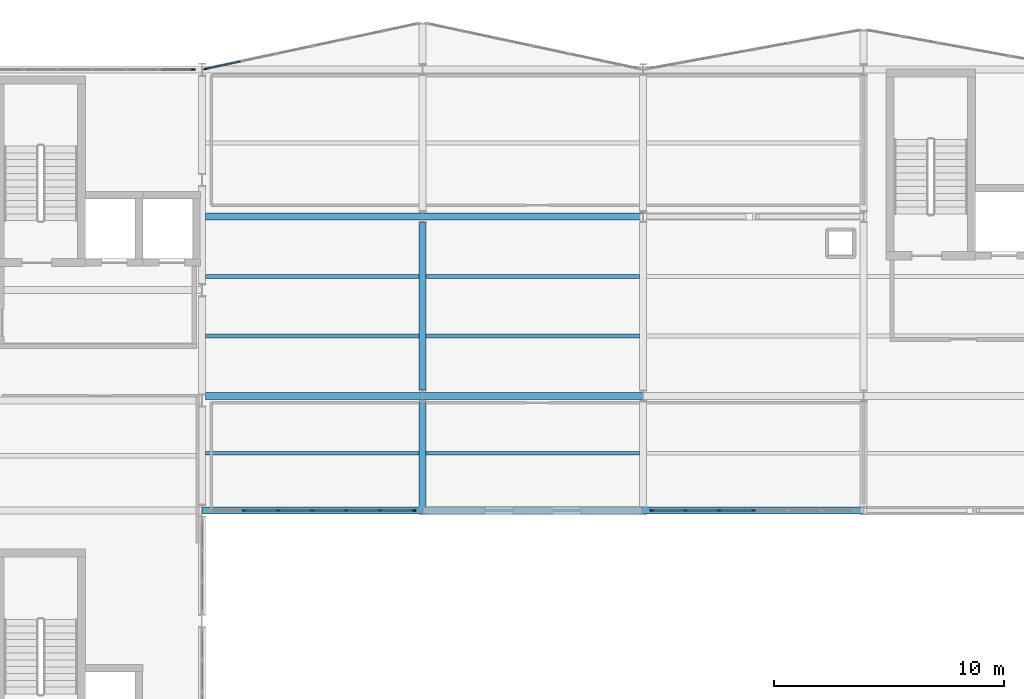
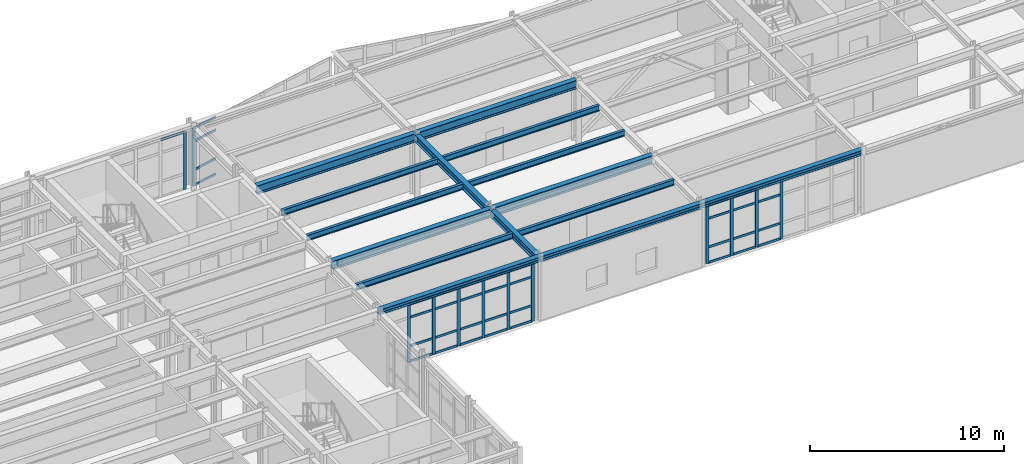
# One storey, part 33 of 76: 48 members, 15 beams, 4 elements without a shape of their own.
"""IFC4 building model written with IfcOpenShell, lengths in metres."""

from ifc_helpers import new_model, si_unit, direction, frame, origin, origin_2d, place, context, subcontext, project, spatial, rectangle, i_section, extrude, material, layer, layer_set, material_profile, profile_set, type_object, element, aggregate, save


model = new_model("IFC4")

# Units and contexts
model_context = context("Model", 3, precision=1e-05, world=origin(), true_north=direction((0.0, 1.0)))
body_context = subcontext(model_context, "Body", "Model", "MODEL_VIEW")
ifc_project = project(units=[si_unit("LENGTHUNIT", "METRE"), si_unit("AREAUNIT", "SQUARE_METRE"), si_unit("VOLUMEUNIT", "CUBIC_METRE"), si_unit("PLANEANGLEUNIT", "RADIAN"), si_unit("MASSUNIT", "GRAM", prefix="KILO")], contexts=[model_context])

# Site, building, storey
site_placement = place(None, origin())
site = spatial("IfcSite", under=ifc_project, at=site_placement, CompositionType="ELEMENT")
building_placement = place(site_placement, origin())
building = spatial("IfcBuilding", under=site, at=building_placement, Name="Nordkorset Police Headquarters", CompositionType="ELEMENT")
storey_placement = place(building_placement, frame((0.0, 0.0, 13.64990234375)))
storey = spatial("IfcBuildingStorey", under=building, at=storey_placement, Name="L03", CompositionType="ELEMENT", Elevation=13.64990234375)

# Beams
ifc_material_1 = material(Name="Steel S355J2", Category="steel")
ifc_material_profile_1 = material_profile(ifc_material_1, i_section(OverallWidth=0.169921875, OverallDepth=0.360107421875, WebThickness=0.008056640625, FlangeThickness=0.0126953125, FilletRadius=0.01806640625, at=origin_2d()), Name="IPE 360")
ifc_profile_set_1 = profile_set([ifc_material_profile_1], Name="Steel S355J2")
beam_type_1 = type_object("IfcBeamType", Name="Beam_IPE_360", PredefinedType="BEAM", material=ifc_profile_set_1)
for number, where, z_axis, x_axis, name in (
    (1, (28.949951171875, 100.10009765625, 3.800048828125), (1.0, 0.0, 0.0), (0.0, 1.0, 0.0), "Composite Floor Beam V2 L03 0-0-1"),
    (2, (28.949951171875, 105.199951171875, 3.800048828125), (1.0, 0.0, 0.0), (0.0, 1.0, 0.0), "Composite Floor Beam V2 L03 0-1-1"),
    (3, (28.949951171875, 107.800048828125, 3.800048828125), (1.0, 0.0, 0.0), (0.0, 1.0, 0.0), "Composite Floor Beam V2 L03 0-1-2"),
    (4, (38.550048828125, 100.10009765625, 3.800048828125), (1.0, 0.0, 0.0), (0.0, 1.0, 0.0), "Composite Floor Beam V2 L03 1-0-1"),
    (5, (38.550048828125, 105.199951171875, 3.800048828125), (1.0, 0.0, 0.0), (0.0, 1.0, 0.0), "Composite Floor Beam V2 L03 1-1-1"),
    (6, (38.550048828125, 107.800048828125, 3.800048828125), (1.0, 0.0, 0.0), (0.0, 1.0, 0.0), "Composite Floor Beam V2 L03 1-1-2"),
):
    element("IfcBeam", number, at=place(storey_placement, frame(where, z_axis=z_axis, x_axis=x_axis)), inside=storey, type_object=beam_type_1, Name=name, PredefinedType="BEAM", context=body_context, shape_type="SweptSolid", body=[
        extrude(i_section(OverallWidth=0.169921875, OverallDepth=0.360107421875, WebThickness=0.008056640625, FlangeThickness=0.0126953125, FilletRadius=0.01806640625, at=origin_2d()), origin(), (0.0, 0.0, 1.0), 9.300048828125),
    ])

# Curtain wall, member
ifc_material_2 = material(Name="Aluminium alloy AW-6060", Category="aluminium")
ifc_layer_1 = layer(ifc_material_2, 0.179931640625, Name="Aluminium alloy AW-6060")
ifc_layer_set_1 = layer_set([ifc_layer_1], Name="Aluminium alloy AW-6060")
curtain_wall_type_1 = type_object("IfcCurtainWallType", Name="CW_Unit_888x365", PredefinedType="USERDEFINED", material=ifc_layer_set_1)
curtain_wall_1_placement = place(storey_placement, origin())
curtain_wall_1 = element("IfcCurtainWall", 7, at=curtain_wall_1_placement, inside=storey, type_object=curtain_wall_type_1, Name="Unitised Curtain Wall L03 V1N-2", ObjectType="UNITISED CURTAIN WALL", PredefinedType="USERDEFINED")
ifc_material_3 = material(Name="Aluminium alloy AW-6060", Category="aluminium")
ifc_material_profile_2 = material_profile(ifc_material_3, rectangle(XDim=0.06494140625, YDim=0.179931640625, at=origin_2d()), Name="ALU MULL 65x180")
ifc_profile_set_2 = profile_set([ifc_material_profile_2], Name="Aluminium alloy AW-6060")
member_type_1 = type_object("IfcMemberType", Name="CW_Mullion_65x180", PredefinedType="MULLION", material=ifc_profile_set_2)
member_1_placement = place(storey_placement, frame((28.407470703125, 116.800048828125, 0.0), z_axis=(0.0, 0.0, 1.0), x_axis=(0.0, 1.0, 0.0)))
member_1 = element("IfcMember", 8, at=member_1_placement, type_object=member_type_1, Name="CW-26 mullion 7", PredefinedType="MULLION", context=body_context, shape_type="SweptSolid", body=[
    extrude(rectangle(XDim=0.06494140625, YDim=0.179931640625, at=origin_2d()), origin(), (0.0, 0.0, 1.0), 3.650146484375),
])

ifc_material_4 = material(Name="Aluminium alloy AW-6060", Category="aluminium")
ifc_layer_2 = layer(ifc_material_4, 0.179931640625, Name="Aluminium alloy AW-6060")
ifc_layer_set_2 = layer_set([ifc_layer_2], Name="Aluminium alloy AW-6060")
curtain_wall_type_2 = type_object("IfcCurtainWallType", Name="CW_Unit_954x365", PredefinedType="USERDEFINED", material=ifc_layer_set_2)
curtain_wall_2_placement = place(storey_placement, origin())
curtain_wall_2 = element("IfcCurtainWall", 9, at=curtain_wall_2_placement, inside=storey, type_object=curtain_wall_type_2, Name="Unitised Curtain Wall L03 V2N-0", ObjectType="UNITISED CURTAIN WALL", PredefinedType="USERDEFINED")
member_2_placement = place(storey_placement, frame((28.96875, 116.8359375, 0.0), z_axis=(0.0, 0.0, 1.0), x_axis=(-0.208832534289, 0.977951416289, 0.0)))
member_2 = element("IfcMember", 10, at=member_2_placement, type_object=member_type_1, Name="CW-83 mullion 1", PredefinedType="MULLION", context=body_context, shape_type="SweptSolid", body=[
    extrude(rectangle(XDim=0.06494140625, YDim=0.179931640625, at=origin_2d()), origin(), (0.0, 0.0, 1.0), 3.650146484375),
])

# Curtain wall, members
curtain_wall_3_placement = place(storey_placement, origin())
curtain_wall_3 = element("IfcCurtainWall", 11, at=curtain_wall_3_placement, inside=storey, type_object=curtain_wall_type_1, Name="Unitised Curtain Wall L03 V2S-0", ObjectType="UNITISED CURTAIN WALL", PredefinedType="USERDEFINED")
member_3_placement = place(storey_placement, frame((30.639892578125, 97.60009765625, 0.0), z_axis=(0.0, 0.0, 1.0), x_axis=(0.0, 1.0, 0.0)))
member_3 = element("IfcMember", 12, at=member_3_placement, type_object=member_type_1, Name="CW-26 mullion 2", PredefinedType="MULLION", context=body_context, shape_type="SweptSolid", body=[
    extrude(rectangle(XDim=0.06494140625, YDim=0.179931640625, at=origin_2d()), origin(), (0.0, 0.0, 1.0), 3.650146484375),
])
member_4_placement = place(storey_placement, frame((32.1201171875, 97.60009765625, 0.0), z_axis=(0.0, 0.0, 1.0), x_axis=(0.0, 1.0, 0.0)))
member_4 = element("IfcMember", 13, at=member_4_placement, type_object=member_type_1, Name="CW-26 mullion 3", PredefinedType="MULLION", context=body_context, shape_type="SweptSolid", body=[
    extrude(rectangle(XDim=0.06494140625, YDim=0.179931640625, at=origin_2d()), origin(), (0.0, 0.0, 1.0), 3.650146484375),
])
member_5_placement = place(storey_placement, frame((33.60009765625, 97.60009765625, 0.0), z_axis=(0.0, 0.0, 1.0), x_axis=(0.0, 1.0, 0.0)))
member_5 = element("IfcMember", 14, at=member_5_placement, type_object=member_type_1, Name="CW-26 mullion 4", PredefinedType="MULLION", context=body_context, shape_type="SweptSolid", body=[
    extrude(rectangle(XDim=0.06494140625, YDim=0.179931640625, at=origin_2d()), origin(), (0.0, 0.0, 1.0), 3.650146484375),
])
member_6_placement = place(storey_placement, frame((35.080078125, 97.60009765625, 0.0), z_axis=(0.0, 0.0, 1.0), x_axis=(0.0, 1.0, 0.0)))
member_6 = element("IfcMember", 15, at=member_6_placement, type_object=member_type_1, Name="CW-26 mullion 5", PredefinedType="MULLION", context=body_context, shape_type="SweptSolid", body=[
    extrude(rectangle(XDim=0.06494140625, YDim=0.179931640625, at=origin_2d()), origin(), (0.0, 0.0, 1.0), 3.650146484375),
])
member_7_placement = place(storey_placement, frame((36.56005859375, 97.60009765625, 0.0), z_axis=(0.0, 0.0, 1.0), x_axis=(0.0, 1.0, 0.0)))
member_7 = element("IfcMember", 16, at=member_7_placement, type_object=member_type_1, Name="CW-26 mullion 6", PredefinedType="MULLION", context=body_context, shape_type="SweptSolid", body=[
    extrude(rectangle(XDim=0.06494140625, YDim=0.179931640625, at=origin_2d()), origin(), (0.0, 0.0, 1.0), 3.650146484375),
])
member_8_placement = place(storey_placement, frame((38.007568359375, 97.60009765625, 0.0), z_axis=(0.0, 0.0, 1.0), x_axis=(0.0, 1.0, 0.0)))
member_8 = element("IfcMember", 17, at=member_8_placement, type_object=member_type_1, Name="CW-26 mullion 7", PredefinedType="MULLION", context=body_context, shape_type="SweptSolid", body=[
    extrude(rectangle(XDim=0.06494140625, YDim=0.179931640625, at=origin_2d()), origin(), (0.0, 0.0, 1.0), 3.650146484375),
])

curtain_wall_4_placement = place(storey_placement, origin())
curtain_wall_4 = element("IfcCurtainWall", 18, at=curtain_wall_4_placement, inside=storey, type_object=curtain_wall_type_1, Name="Unitised Curtain Wall L03 V2S-2", ObjectType="UNITISED CURTAIN WALL", PredefinedType="USERDEFINED")
member_9_placement = place(storey_placement, frame((48.392578125, 97.60009765625, 0.0), z_axis=(0.0, 0.0, 1.0), x_axis=(0.0, 1.0, 0.0)))
member_9 = element("IfcMember", 19, at=member_9_placement, type_object=member_type_1, Name="CW-26 mullion 1", PredefinedType="MULLION", context=body_context, shape_type="SweptSolid", body=[
    extrude(rectangle(XDim=0.06494140625, YDim=0.179931640625, at=origin_2d()), origin(), (0.0, 0.0, 1.0), 3.650146484375),
])
member_10_placement = place(storey_placement, frame((49.840087890625, 97.60009765625, 0.0), z_axis=(0.0, 0.0, 1.0), x_axis=(0.0, 1.0, 0.0)))
member_10 = element("IfcMember", 20, at=member_10_placement, type_object=member_type_1, Name="CW-26 mullion 2", PredefinedType="MULLION", context=body_context, shape_type="SweptSolid", body=[
    extrude(rectangle(XDim=0.06494140625, YDim=0.179931640625, at=origin_2d()), origin(), (0.0, 0.0, 1.0), 3.650146484375),
])
member_11_placement = place(storey_placement, frame((51.320068359375, 97.60009765625, 0.0), z_axis=(0.0, 0.0, 1.0), x_axis=(0.0, 1.0, 0.0)))
member_11 = element("IfcMember", 21, at=member_11_placement, type_object=member_type_1, Name="CW-26 mullion 3", PredefinedType="MULLION", context=body_context, shape_type="SweptSolid", body=[
    extrude(rectangle(XDim=0.06494140625, YDim=0.179931640625, at=origin_2d()), origin(), (0.0, 0.0, 1.0), 3.650146484375),
])
member_12_placement = place(storey_placement, frame((52.800048828125, 97.60009765625, 0.0), z_axis=(0.0, 0.0, 1.0), x_axis=(0.0, 1.0, 0.0)))
member_12 = element("IfcMember", 22, at=member_12_placement, type_object=member_type_1, Name="CW-26 mullion 4", PredefinedType="MULLION", context=body_context, shape_type="SweptSolid", body=[
    extrude(rectangle(XDim=0.06494140625, YDim=0.179931640625, at=origin_2d()), origin(), (0.0, 0.0, 1.0), 3.650146484375),
])

# Member
ifc_material_5 = material(Name="Aluminium alloy AW-6060", Category="aluminium")
ifc_material_profile_3 = material_profile(ifc_material_5, rectangle(XDim=0.06494140625, YDim=0.139892578125, at=origin_2d()), Name="ALU TRAN 65x140")
ifc_profile_set_3 = profile_set([ifc_material_profile_3], Name="Aluminium alloy AW-6060")
member_type_2 = type_object("IfcMemberType", Name="CW_Transom_65x140", PredefinedType="USERDEFINED", material=ifc_profile_set_3)
member_13_placement = place(storey_placement, frame((26.992431640625, 116.800048828125, 3.61767578125), z_axis=(1.0, 0.0, 0.0), x_axis=(0.0, 1.0, 0.0)))
member_13 = element("IfcMember", 23, at=member_13_placement, type_object=member_type_2, Name="CW-26 transom 6.4", ObjectType="TRANSOM", PredefinedType="USERDEFINED", context=body_context, shape_type="SweptSolid", body=[
    extrude(rectangle(XDim=0.06494140625, YDim=0.139892578125, at=origin_2d()), origin(), (0.0, 0.0, 1.0), 1.382568359375),
])

aggregate(curtain_wall_1, [member_1, member_13])

member_14_placement = place(storey_placement, frame((29.00048828125, 116.8427734375, 0.03271484375), z_axis=(0.977955422008, 0.208813774846, 0.0), x_axis=(-0.208813774846, 0.977955422008, 0.0)))
member_14 = element("IfcMember", 24, at=member_14_placement, type_object=member_type_2, Name="CW-83 transom 1.1", ObjectType="TRANSOM", PredefinedType="USERDEFINED", context=body_context, shape_type="SweptSolid", body=[
    extrude(rectangle(XDim=0.06494140625, YDim=0.139892578125, at=origin_2d()), origin(), (0.0, 0.0, 1.0), 1.491943359375),
])

member_15_placement = place(storey_placement, frame((29.00048828125, 116.8427734375, 1.0), z_axis=(0.977955422008, 0.208813774846, 0.0), x_axis=(-0.208813774846, 0.977955422008, 0.0)))
member_15 = element("IfcMember", 25, at=member_15_placement, type_object=member_type_2, Name="CW-83 transom 1.2", ObjectType="TRANSOM", PredefinedType="USERDEFINED", context=body_context, shape_type="SweptSolid", body=[
    extrude(rectangle(XDim=0.06494140625, YDim=0.139892578125, at=origin_2d()), origin(), (0.0, 0.0, 1.0), 1.491943359375),
])

member_16_placement = place(storey_placement, frame((29.00048828125, 116.8427734375, 2.800048828125), z_axis=(0.977955422008, 0.208813774846, 0.0), x_axis=(-0.208813774846, 0.977955422008, 0.0)))
member_16 = element("IfcMember", 26, at=member_16_placement, type_object=member_type_2, Name="CW-83 transom 1.3", ObjectType="TRANSOM", PredefinedType="USERDEFINED", context=body_context, shape_type="SweptSolid", body=[
    extrude(rectangle(XDim=0.06494140625, YDim=0.139892578125, at=origin_2d()), origin(), (0.0, 0.0, 1.0), 1.491943359375),
])

member_17_placement = place(storey_placement, frame((29.00048828125, 116.8427734375, 3.61767578125), z_axis=(0.977955422008, 0.208813774846, 0.0), x_axis=(-0.208813774846, 0.977955422008, 0.0)))
member_17 = element("IfcMember", 27, at=member_17_placement, type_object=member_type_2, Name="CW-83 transom 1.4", ObjectType="TRANSOM", PredefinedType="USERDEFINED", context=body_context, shape_type="SweptSolid", body=[
    extrude(rectangle(XDim=0.06494140625, YDim=0.139892578125, at=origin_2d()), origin(), (0.0, 0.0, 1.0), 1.491943359375),
])

aggregate(curtain_wall_2, [member_2, member_14, member_15, member_16, member_17])

member_18_placement = place(storey_placement, frame((30.672607421875, 97.60009765625, 0.03271484375), z_axis=(1.0, 0.0, 0.0), x_axis=(0.0, 1.0, 0.0)))
member_18 = element("IfcMember", 28, at=member_18_placement, type_object=member_type_2, Name="CW-26 transom 2.1", ObjectType="TRANSOM", PredefinedType="USERDEFINED", context=body_context, shape_type="SweptSolid", body=[
    extrude(rectangle(XDim=0.06494140625, YDim=0.139892578125, at=origin_2d()), origin(), (0.0, 0.0, 1.0), 1.414794921875),
])

member_19_placement = place(storey_placement, frame((30.672607421875, 97.60009765625, 1.0), z_axis=(1.0, 0.0, 0.0), x_axis=(0.0, 1.0, 0.0)))
member_19 = element("IfcMember", 29, at=member_19_placement, type_object=member_type_2, Name="CW-26 transom 2.2", ObjectType="TRANSOM", PredefinedType="USERDEFINED", context=body_context, shape_type="SweptSolid", body=[
    extrude(rectangle(XDim=0.06494140625, YDim=0.139892578125, at=origin_2d()), origin(), (0.0, 0.0, 1.0), 1.414794921875),
])

member_20_placement = place(storey_placement, frame((30.672607421875, 97.60009765625, 2.800048828125), z_axis=(1.0, 0.0, 0.0), x_axis=(0.0, 1.0, 0.0)))
member_20 = element("IfcMember", 30, at=member_20_placement, type_object=member_type_2, Name="CW-26 transom 2.3", ObjectType="TRANSOM", PredefinedType="USERDEFINED", context=body_context, shape_type="SweptSolid", body=[
    extrude(rectangle(XDim=0.06494140625, YDim=0.139892578125, at=origin_2d()), origin(), (0.0, 0.0, 1.0), 1.414794921875),
])

member_21_placement = place(storey_placement, frame((30.672607421875, 97.60009765625, 3.61767578125), z_axis=(1.0, 0.0, 0.0), x_axis=(0.0, 1.0, 0.0)))
member_21 = element("IfcMember", 31, at=member_21_placement, type_object=member_type_2, Name="CW-26 transom 2.4", ObjectType="TRANSOM", PredefinedType="USERDEFINED", context=body_context, shape_type="SweptSolid", body=[
    extrude(rectangle(XDim=0.06494140625, YDim=0.139892578125, at=origin_2d()), origin(), (0.0, 0.0, 1.0), 1.414794921875),
])

member_22_placement = place(storey_placement, frame((32.152587890625, 97.60009765625, 0.03271484375), z_axis=(1.0, 0.0, 0.0), x_axis=(0.0, 1.0, 0.0)))
member_22 = element("IfcMember", 32, at=member_22_placement, type_object=member_type_2, Name="CW-26 transom 3.1", ObjectType="TRANSOM", PredefinedType="USERDEFINED", context=body_context, shape_type="SweptSolid", body=[
    extrude(rectangle(XDim=0.06494140625, YDim=0.139892578125, at=origin_2d()), origin(), (0.0, 0.0, 1.0), 1.414794921875),
])

member_23_placement = place(storey_placement, frame((32.152587890625, 97.60009765625, 1.0), z_axis=(1.0, 0.0, 0.0), x_axis=(0.0, 1.0, 0.0)))
member_23 = element("IfcMember", 33, at=member_23_placement, type_object=member_type_2, Name="CW-26 transom 3.2", ObjectType="TRANSOM", PredefinedType="USERDEFINED", context=body_context, shape_type="SweptSolid", body=[
    extrude(rectangle(XDim=0.06494140625, YDim=0.139892578125, at=origin_2d()), origin(), (0.0, 0.0, 1.0), 1.414794921875),
])

member_24_placement = place(storey_placement, frame((32.152587890625, 97.60009765625, 2.800048828125), z_axis=(1.0, 0.0, 0.0), x_axis=(0.0, 1.0, 0.0)))
member_24 = element("IfcMember", 34, at=member_24_placement, type_object=member_type_2, Name="CW-26 transom 3.3", ObjectType="TRANSOM", PredefinedType="USERDEFINED", context=body_context, shape_type="SweptSolid", body=[
    extrude(rectangle(XDim=0.06494140625, YDim=0.139892578125, at=origin_2d()), origin(), (0.0, 0.0, 1.0), 1.414794921875),
])

member_25_placement = place(storey_placement, frame((32.152587890625, 97.60009765625, 3.61767578125), z_axis=(1.0, 0.0, 0.0), x_axis=(0.0, 1.0, 0.0)))
member_25 = element("IfcMember", 35, at=member_25_placement, type_object=member_type_2, Name="CW-26 transom 3.4", ObjectType="TRANSOM", PredefinedType="USERDEFINED", context=body_context, shape_type="SweptSolid", body=[
    extrude(rectangle(XDim=0.06494140625, YDim=0.139892578125, at=origin_2d()), origin(), (0.0, 0.0, 1.0), 1.414794921875),
])

member_26_placement = place(storey_placement, frame((33.632568359375, 97.60009765625, 0.03271484375), z_axis=(1.0, 0.0, 0.0), x_axis=(0.0, 1.0, 0.0)))
member_26 = element("IfcMember", 36, at=member_26_placement, type_object=member_type_2, Name="CW-26 transom 4.1", ObjectType="TRANSOM", PredefinedType="USERDEFINED", context=body_context, shape_type="SweptSolid", body=[
    extrude(rectangle(XDim=0.06494140625, YDim=0.139892578125, at=origin_2d()), origin(), (0.0, 0.0, 1.0), 1.4150390625),
])

member_27_placement = place(storey_placement, frame((33.632568359375, 97.60009765625, 1.0), z_axis=(1.0, 0.0, 0.0), x_axis=(0.0, 1.0, 0.0)))
member_27 = element("IfcMember", 37, at=member_27_placement, type_object=member_type_2, Name="CW-26 transom 4.2", ObjectType="TRANSOM", PredefinedType="USERDEFINED", context=body_context, shape_type="SweptSolid", body=[
    extrude(rectangle(XDim=0.06494140625, YDim=0.139892578125, at=origin_2d()), origin(), (0.0, 0.0, 1.0), 1.4150390625),
])

member_28_placement = place(storey_placement, frame((33.632568359375, 97.60009765625, 2.800048828125), z_axis=(1.0, 0.0, 0.0), x_axis=(0.0, 1.0, 0.0)))
member_28 = element("IfcMember", 38, at=member_28_placement, type_object=member_type_2, Name="CW-26 transom 4.3", ObjectType="TRANSOM", PredefinedType="USERDEFINED", context=body_context, shape_type="SweptSolid", body=[
    extrude(rectangle(XDim=0.06494140625, YDim=0.139892578125, at=origin_2d()), origin(), (0.0, 0.0, 1.0), 1.4150390625),
])

member_29_placement = place(storey_placement, frame((33.632568359375, 97.60009765625, 3.61767578125), z_axis=(1.0, 0.0, 0.0), x_axis=(0.0, 1.0, 0.0)))
member_29 = element("IfcMember", 39, at=member_29_placement, type_object=member_type_2, Name="CW-26 transom 4.4", ObjectType="TRANSOM", PredefinedType="USERDEFINED", context=body_context, shape_type="SweptSolid", body=[
    extrude(rectangle(XDim=0.06494140625, YDim=0.139892578125, at=origin_2d()), origin(), (0.0, 0.0, 1.0), 1.4150390625),
])

member_30_placement = place(storey_placement, frame((35.112548828125, 97.60009765625, 0.03271484375), z_axis=(1.0, 0.0, 0.0), x_axis=(0.0, 1.0, 0.0)))
member_30 = element("IfcMember", 40, at=member_30_placement, type_object=member_type_2, Name="CW-26 transom 5.1", ObjectType="TRANSOM", PredefinedType="USERDEFINED", context=body_context, shape_type="SweptSolid", body=[
    extrude(rectangle(XDim=0.06494140625, YDim=0.139892578125, at=origin_2d()), origin(), (0.0, 0.0, 1.0), 1.4150390625),
])

member_31_placement = place(storey_placement, frame((35.112548828125, 97.60009765625, 1.0), z_axis=(1.0, 0.0, 0.0), x_axis=(0.0, 1.0, 0.0)))
member_31 = element("IfcMember", 41, at=member_31_placement, type_object=member_type_2, Name="CW-26 transom 5.2", ObjectType="TRANSOM", PredefinedType="USERDEFINED", context=body_context, shape_type="SweptSolid", body=[
    extrude(rectangle(XDim=0.06494140625, YDim=0.139892578125, at=origin_2d()), origin(), (0.0, 0.0, 1.0), 1.4150390625),
])

member_32_placement = place(storey_placement, frame((35.112548828125, 97.60009765625, 2.800048828125), z_axis=(1.0, 0.0, 0.0), x_axis=(0.0, 1.0, 0.0)))
member_32 = element("IfcMember", 42, at=member_32_placement, type_object=member_type_2, Name="CW-26 transom 5.3", ObjectType="TRANSOM", PredefinedType="USERDEFINED", context=body_context, shape_type="SweptSolid", body=[
    extrude(rectangle(XDim=0.06494140625, YDim=0.139892578125, at=origin_2d()), origin(), (0.0, 0.0, 1.0), 1.4150390625),
])

member_33_placement = place(storey_placement, frame((35.112548828125, 97.60009765625, 3.61767578125), z_axis=(1.0, 0.0, 0.0), x_axis=(0.0, 1.0, 0.0)))
member_33 = element("IfcMember", 43, at=member_33_placement, type_object=member_type_2, Name="CW-26 transom 5.4", ObjectType="TRANSOM", PredefinedType="USERDEFINED", context=body_context, shape_type="SweptSolid", body=[
    extrude(rectangle(XDim=0.06494140625, YDim=0.139892578125, at=origin_2d()), origin(), (0.0, 0.0, 1.0), 1.4150390625),
])

member_34_placement = place(storey_placement, frame((36.592529296875, 97.60009765625, 0.03271484375), z_axis=(1.0, 0.0, 0.0), x_axis=(0.0, 1.0, 0.0)))
member_34 = element("IfcMember", 44, at=member_34_placement, type_object=member_type_2, Name="CW-26 transom 6.1", ObjectType="TRANSOM", PredefinedType="USERDEFINED", context=body_context, shape_type="SweptSolid", body=[
    extrude(rectangle(XDim=0.06494140625, YDim=0.139892578125, at=origin_2d()), origin(), (0.0, 0.0, 1.0), 1.382568359375),
])

member_35_placement = place(storey_placement, frame((36.592529296875, 97.60009765625, 1.0), z_axis=(1.0, 0.0, 0.0), x_axis=(0.0, 1.0, 0.0)))
member_35 = element("IfcMember", 45, at=member_35_placement, type_object=member_type_2, Name="CW-26 transom 6.2", ObjectType="TRANSOM", PredefinedType="USERDEFINED", context=body_context, shape_type="SweptSolid", body=[
    extrude(rectangle(XDim=0.06494140625, YDim=0.139892578125, at=origin_2d()), origin(), (0.0, 0.0, 1.0), 1.382568359375),
])

member_36_placement = place(storey_placement, frame((36.592529296875, 97.60009765625, 2.800048828125), z_axis=(1.0, 0.0, 0.0), x_axis=(0.0, 1.0, 0.0)))
member_36 = element("IfcMember", 46, at=member_36_placement, type_object=member_type_2, Name="CW-26 transom 6.3", ObjectType="TRANSOM", PredefinedType="USERDEFINED", context=body_context, shape_type="SweptSolid", body=[
    extrude(rectangle(XDim=0.06494140625, YDim=0.139892578125, at=origin_2d()), origin(), (0.0, 0.0, 1.0), 1.382568359375),
])

member_37_placement = place(storey_placement, frame((36.592529296875, 97.60009765625, 3.61767578125), z_axis=(1.0, 0.0, 0.0), x_axis=(0.0, 1.0, 0.0)))
member_37 = element("IfcMember", 47, at=member_37_placement, type_object=member_type_2, Name="CW-26 transom 6.4", ObjectType="TRANSOM", PredefinedType="USERDEFINED", context=body_context, shape_type="SweptSolid", body=[
    extrude(rectangle(XDim=0.06494140625, YDim=0.139892578125, at=origin_2d()), origin(), (0.0, 0.0, 1.0), 1.382568359375),
])

aggregate(curtain_wall_3, [member_3, member_4, member_5, member_6, member_7, member_8, member_18, member_19, member_20, member_21, member_22, member_23, member_24, member_25, member_26, member_27, member_28, member_29, member_30, member_31, member_32, member_33, member_34, member_35, member_36, member_37])

member_38_placement = place(storey_placement, frame((48.425048828125, 97.60009765625, 0.03271484375), z_axis=(1.0, 0.0, 0.0), x_axis=(0.0, 1.0, 0.0)))
member_38 = element("IfcMember", 48, at=member_38_placement, type_object=member_type_2, Name="CW-26 transom 1.1", ObjectType="TRANSOM", PredefinedType="USERDEFINED", context=body_context, shape_type="SweptSolid", body=[
    extrude(rectangle(XDim=0.06494140625, YDim=0.139892578125, at=origin_2d()), origin(), (0.0, 0.0, 1.0), 1.382568359375),
])

member_39_placement = place(storey_placement, frame((48.425048828125, 97.60009765625, 1.0), z_axis=(1.0, 0.0, 0.0), x_axis=(0.0, 1.0, 0.0)))
member_39 = element("IfcMember", 49, at=member_39_placement, type_object=member_type_2, Name="CW-26 transom 1.2", ObjectType="TRANSOM", PredefinedType="USERDEFINED", context=body_context, shape_type="SweptSolid", body=[
    extrude(rectangle(XDim=0.06494140625, YDim=0.139892578125, at=origin_2d()), origin(), (0.0, 0.0, 1.0), 1.382568359375),
])

member_40_placement = place(storey_placement, frame((48.425048828125, 97.60009765625, 2.800048828125), z_axis=(1.0, 0.0, 0.0), x_axis=(0.0, 1.0, 0.0)))
member_40 = element("IfcMember", 50, at=member_40_placement, type_object=member_type_2, Name="CW-26 transom 1.3", ObjectType="TRANSOM", PredefinedType="USERDEFINED", context=body_context, shape_type="SweptSolid", body=[
    extrude(rectangle(XDim=0.06494140625, YDim=0.139892578125, at=origin_2d()), origin(), (0.0, 0.0, 1.0), 1.382568359375),
])

member_41_placement = place(storey_placement, frame((48.425048828125, 97.60009765625, 3.61767578125), z_axis=(1.0, 0.0, 0.0), x_axis=(0.0, 1.0, 0.0)))
member_41 = element("IfcMember", 51, at=member_41_placement, type_object=member_type_2, Name="CW-26 transom 1.4", ObjectType="TRANSOM", PredefinedType="USERDEFINED", context=body_context, shape_type="SweptSolid", body=[
    extrude(rectangle(XDim=0.06494140625, YDim=0.139892578125, at=origin_2d()), origin(), (0.0, 0.0, 1.0), 1.382568359375),
])

member_42_placement = place(storey_placement, frame((49.87255859375, 97.60009765625, 0.03271484375), z_axis=(1.0, 0.0, 0.0), x_axis=(0.0, 1.0, 0.0)))
member_42 = element("IfcMember", 52, at=member_42_placement, type_object=member_type_2, Name="CW-26 transom 2.1", ObjectType="TRANSOM", PredefinedType="USERDEFINED", context=body_context, shape_type="SweptSolid", body=[
    extrude(rectangle(XDim=0.06494140625, YDim=0.139892578125, at=origin_2d()), origin(), (0.0, 0.0, 1.0), 1.4150390625),
])

member_43_placement = place(storey_placement, frame((49.87255859375, 97.60009765625, 1.0), z_axis=(1.0, 0.0, 0.0), x_axis=(0.0, 1.0, 0.0)))
member_43 = element("IfcMember", 53, at=member_43_placement, type_object=member_type_2, Name="CW-26 transom 2.2", ObjectType="TRANSOM", PredefinedType="USERDEFINED", context=body_context, shape_type="SweptSolid", body=[
    extrude(rectangle(XDim=0.06494140625, YDim=0.139892578125, at=origin_2d()), origin(), (0.0, 0.0, 1.0), 1.4150390625),
])

member_44_placement = place(storey_placement, frame((49.87255859375, 97.60009765625, 2.800048828125), z_axis=(1.0, 0.0, 0.0), x_axis=(0.0, 1.0, 0.0)))
member_44 = element("IfcMember", 54, at=member_44_placement, type_object=member_type_2, Name="CW-26 transom 2.3", ObjectType="TRANSOM", PredefinedType="USERDEFINED", context=body_context, shape_type="SweptSolid", body=[
    extrude(rectangle(XDim=0.06494140625, YDim=0.139892578125, at=origin_2d()), origin(), (0.0, 0.0, 1.0), 1.4150390625),
])

member_45_placement = place(storey_placement, frame((49.87255859375, 97.60009765625, 3.61767578125), z_axis=(1.0, 0.0, 0.0), x_axis=(0.0, 1.0, 0.0)))
member_45 = element("IfcMember", 55, at=member_45_placement, type_object=member_type_2, Name="CW-26 transom 2.4", ObjectType="TRANSOM", PredefinedType="USERDEFINED", context=body_context, shape_type="SweptSolid", body=[
    extrude(rectangle(XDim=0.06494140625, YDim=0.139892578125, at=origin_2d()), origin(), (0.0, 0.0, 1.0), 1.4150390625),
])

member_46_placement = place(storey_placement, frame((51.3525390625, 97.60009765625, 0.03271484375), z_axis=(1.0, 0.0, 0.0), x_axis=(0.0, 1.0, 0.0)))
member_46 = element("IfcMember", 56, at=member_46_placement, type_object=member_type_2, Name="CW-26 transom 3.1", ObjectType="TRANSOM", PredefinedType="USERDEFINED", context=body_context, shape_type="SweptSolid", body=[
    extrude(rectangle(XDim=0.06494140625, YDim=0.139892578125, at=origin_2d()), origin(), (0.0, 0.0, 1.0), 1.4150390625),
])

member_47_placement = place(storey_placement, frame((51.3525390625, 97.60009765625, 1.0), z_axis=(1.0, 0.0, 0.0), x_axis=(0.0, 1.0, 0.0)))
member_47 = element("IfcMember", 57, at=member_47_placement, type_object=member_type_2, Name="CW-26 transom 3.2", ObjectType="TRANSOM", PredefinedType="USERDEFINED", context=body_context, shape_type="SweptSolid", body=[
    extrude(rectangle(XDim=0.06494140625, YDim=0.139892578125, at=origin_2d()), origin(), (0.0, 0.0, 1.0), 1.4150390625),
])

member_48_placement = place(storey_placement, frame((51.3525390625, 97.60009765625, 2.800048828125), z_axis=(1.0, 0.0, 0.0), x_axis=(0.0, 1.0, 0.0)))
member_48 = element("IfcMember", 58, at=member_48_placement, type_object=member_type_2, Name="CW-26 transom 3.3", ObjectType="TRANSOM", PredefinedType="USERDEFINED", context=body_context, shape_type="SweptSolid", body=[
    extrude(rectangle(XDim=0.06494140625, YDim=0.139892578125, at=origin_2d()), origin(), (0.0, 0.0, 1.0), 1.4150390625),
])

aggregate(curtain_wall_4, [member_9, member_10, member_11, member_12, member_38, member_39, member_40, member_41, member_42, member_43, member_44, member_45, member_46, member_47, member_48])

# Beams
ifc_material_6 = material(Name="Steel S355J2", Category="steel")
ifc_material_profile_4 = material_profile(ifc_material_6, i_section(OverallWidth=0.300048828125, OverallDepth=0.43994140625, WebThickness=0.011474609375, FlangeThickness=0.02099609375, FilletRadius=0.027099609375, at=origin_2d()), Name="HEA 450")
ifc_profile_set_4 = profile_set([ifc_material_profile_4], Name="Steel S355J2")
beam_type_2 = type_object("IfcBeamType", Name="Girder_HEA_450", PredefinedType="USERDEFINED", material=ifc_profile_set_4)
beam_1_placement = place(storey_placement, frame((38.39990234375, 97.77001953125, 3.760009765625), z_axis=(0.0, 1.0, 0.0), x_axis=(-1.0, 0.0, 0.0)))
element("IfcBeam", 59, at=beam_1_placement, inside=storey, type_object=beam_type_2, Name="Girder V2 L03 GY-1-0", ObjectType="GIRDER", PredefinedType="USERDEFINED", context=body_context, shape_type="SweptSolid", body=[
    extrude(i_section(OverallWidth=0.300048828125, OverallDepth=0.43994140625, WebThickness=0.011474609375, FlangeThickness=0.02099609375, FilletRadius=0.027099609375, at=origin_2d()), origin(), (0.0, 0.0, 1.0), 4.580078125),
])
beam_2_placement = place(storey_placement, frame((38.39990234375, 102.85009765625, 3.760009765625), z_axis=(0.0, 1.0, 0.0), x_axis=(-1.0, 0.0, 0.0)))
element("IfcBeam", 60, at=beam_2_placement, inside=storey, type_object=beam_type_2, Name="Girder V2 L03 GY-1-1", ObjectType="GIRDER", PredefinedType="USERDEFINED", context=body_context, shape_type="SweptSolid", body=[
    extrude(i_section(OverallWidth=0.300048828125, OverallDepth=0.43994140625, WebThickness=0.011474609375, FlangeThickness=0.02099609375, FilletRadius=0.027099609375, at=origin_2d()), origin(), (0.0, 0.0, 1.0), 7.2998046875),
])
ifc_material_7 = material(Name="Steel S355J2", Category="steel")
ifc_material_profile_5 = material_profile(ifc_material_7, i_section(OverallWidth=0.300048828125, OverallDepth=0.5400390625, WebThickness=0.012451171875, FlangeThickness=0.02392578125, FilletRadius=0.027099609375, at=origin_2d()), Name="HEA 550")
ifc_profile_set_5 = profile_set([ifc_material_profile_5], Name="Steel S355J2")
beam_type_3 = type_object("IfcBeamType", Name="Girder_HEA_550", PredefinedType="USERDEFINED", material=ifc_profile_set_5)
beam_3_placement = place(storey_placement, frame((28.949951171875, 102.60009765625, 3.710205078125), z_axis=(1.0, 0.0, 0.0), x_axis=(0.0, 1.0, 0.0)))
element("IfcBeam", 61, at=beam_3_placement, inside=storey, type_object=beam_type_3, Name="Girder V2 L03 GX-1-0", ObjectType="GIRDER", PredefinedType="USERDEFINED", context=body_context, shape_type="SweptSolid", body=[
    extrude(i_section(OverallWidth=0.300048828125, OverallDepth=0.5400390625, WebThickness=0.012451171875, FlangeThickness=0.02392578125, FilletRadius=0.027099609375, at=origin_2d()), origin(), (0.0, 0.0, 1.0), 9.442626953125),
])
beam_4_placement = place(storey_placement, frame((38.4072265625, 102.60009765625, 3.710205078125), z_axis=(1.0, 0.0, 0.0), x_axis=(0.0, 1.0, 0.0)))
element("IfcBeam", 62, at=beam_4_placement, inside=storey, type_object=beam_type_3, Name="Girder V2 L03 GX-1-1", ObjectType="GIRDER", PredefinedType="USERDEFINED", context=body_context, shape_type="SweptSolid", body=[
    extrude(i_section(OverallWidth=0.300048828125, OverallDepth=0.5400390625, WebThickness=0.012451171875, FlangeThickness=0.02392578125, FilletRadius=0.027099609375, at=origin_2d()), origin(), (0.0, 0.0, 1.0), 9.58544921875),
])
beam_5_placement = place(storey_placement, frame((28.949951171875, 110.39990234375, 3.710205078125), z_axis=(1.0, 0.0, 0.0), x_axis=(0.0, 1.0, 0.0)))
element("IfcBeam", 63, at=beam_5_placement, inside=storey, type_object=beam_type_3, Name="Girder V2 L03 GX-2-0", ObjectType="GIRDER", PredefinedType="USERDEFINED", context=body_context, shape_type="SweptSolid", body=[
    extrude(i_section(OverallWidth=0.300048828125, OverallDepth=0.5400390625, WebThickness=0.012451171875, FlangeThickness=0.02392578125, FilletRadius=0.027099609375, at=origin_2d()), origin(), (0.0, 0.0, 1.0), 9.442626953125),
])
beam_6_placement = place(storey_placement, frame((38.4072265625, 110.39990234375, 3.710205078125), z_axis=(1.0, 0.0, 0.0), x_axis=(0.0, 1.0, 0.0)))
element("IfcBeam", 64, at=beam_6_placement, inside=storey, type_object=beam_type_3, Name="Girder V2 L03 GX-2-1", ObjectType="GIRDER", PredefinedType="USERDEFINED", context=body_context, shape_type="SweptSolid", body=[
    extrude(i_section(OverallWidth=0.300048828125, OverallDepth=0.5400390625, WebThickness=0.012451171875, FlangeThickness=0.02392578125, FilletRadius=0.027099609375, at=origin_2d()), origin(), (0.0, 0.0, 1.0), 9.58544921875),
])
ifc_material_8 = material(Name="Steel S355J2", Category="steel")
ifc_material_profile_6 = material_profile(ifc_material_8, i_section(OverallWidth=0.300048828125, OverallDepth=0.31005859375, WebThickness=0.009033203125, FlangeThickness=0.015380859375, FilletRadius=0.027099609375, at=origin_2d()), Name="HEA 320")
ifc_profile_set_6 = profile_set([ifc_material_profile_6], Name="Steel S355J2")
beam_type_4 = type_object("IfcBeamType", Name="Spandrel_HEA_320", PredefinedType="SPANDREL", material=ifc_profile_set_6)
beam_7_placement = place(storey_placement, frame((28.8076171875, 97.60009765625, 3.8251953125), z_axis=(1.0, 0.0, 0.0), x_axis=(0.0, 1.0, 0.0)))
element("IfcBeam", 65, at=beam_7_placement, inside=storey, type_object=beam_type_4, Name="Girder V2 L03 GX-0-0", PredefinedType="SPANDREL", context=body_context, shape_type="SweptSolid", body=[
    extrude(i_section(OverallWidth=0.300048828125, OverallDepth=0.31005859375, WebThickness=0.009033203125, FlangeThickness=0.015380859375, FilletRadius=0.027099609375, at=origin_2d()), origin(), (0.0, 0.0, 1.0), 9.58642578125),
])
for number, where, z_axis, x_axis, name in (
    (66, (38.406005859375, 97.60009765625, 3.8251953125), (1.0, 0.0, 0.0), (0.0, 1.0, 0.0), "Girder V2 L03 GX-0-1"),
    (67, (48.006103515625, 97.60009765625, 3.8251953125), (1.0, 0.0, 0.0), (0.0, 1.0, 0.0), "Girder V2 L03 GX-0-2"),
):
    element("IfcBeam", number, at=place(storey_placement, frame(where, z_axis=z_axis, x_axis=x_axis)), inside=storey, type_object=beam_type_4, Name=name, PredefinedType="SPANDREL", context=body_context, shape_type="SweptSolid", body=[
        extrude(i_section(OverallWidth=0.300048828125, OverallDepth=0.31005859375, WebThickness=0.009033203125, FlangeThickness=0.015380859375, FilletRadius=0.027099609375, at=origin_2d()), origin(), (0.0, 0.0, 1.0), 9.587890625),
    ])

save(model, "model.ifc")
